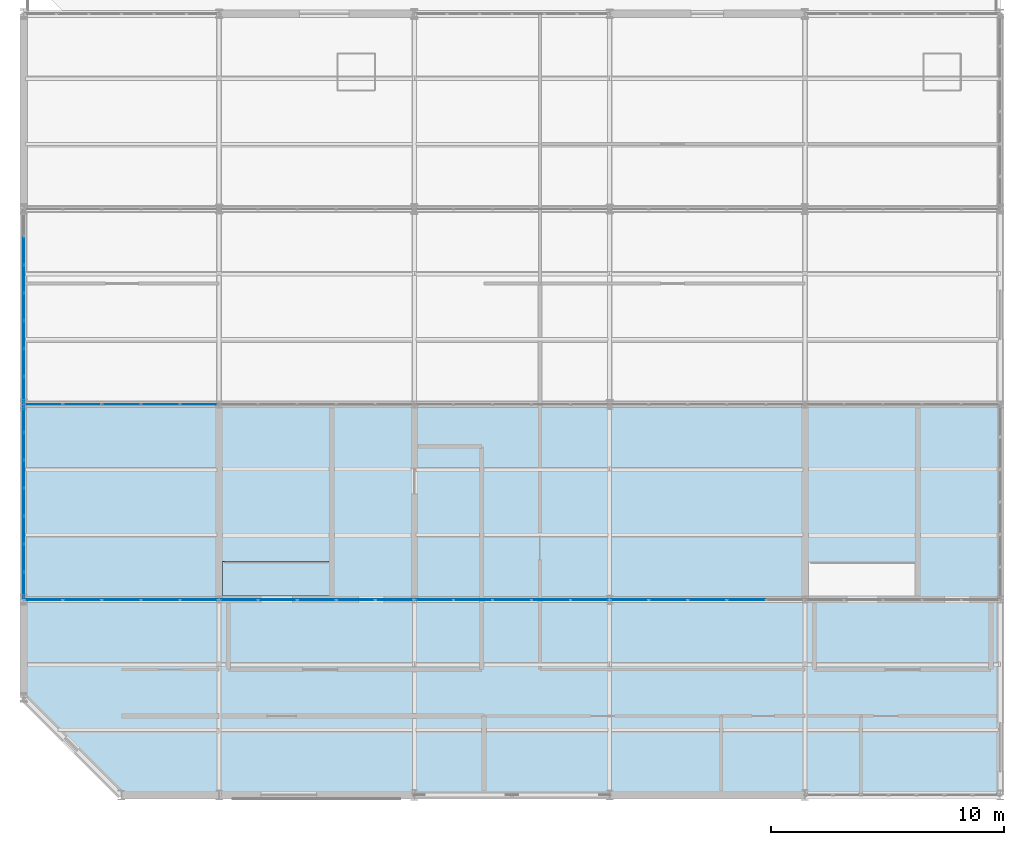
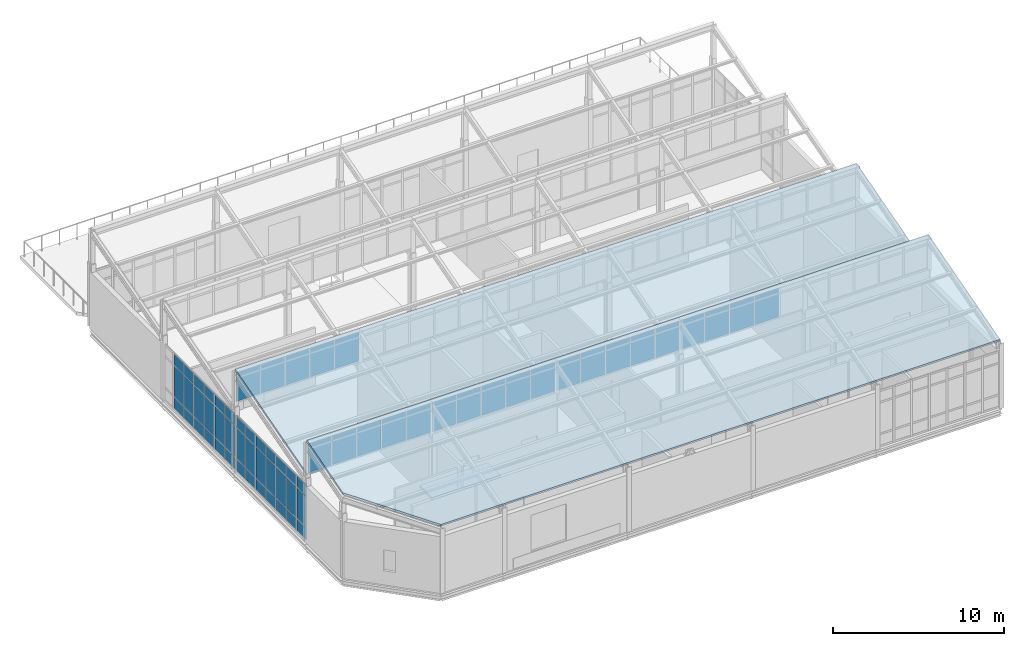
# One storey, part 46 of 53: 63 plates, 3 slabs, 7 elements without a shape of their own.
"""IFC4 building model written with IfcOpenShell, lengths in metres."""

from ifc_helpers import new_model, si_unit, direction, frame, origin, origin_2d, place, context, subcontext, project, spatial, polyline, rectangle, outline, extrude, material, layer, layer_set, type_object, element, aggregate, save


model = new_model("IFC4")

# Units and contexts
model_context = context("Model", 3, precision=1e-05, world=origin(), true_north=direction((0.0, 1.0)))
body_context = subcontext(model_context, "Body", "Model", "MODEL_VIEW")
ifc_project = project(units=[si_unit("LENGTHUNIT", "METRE"), si_unit("AREAUNIT", "SQUARE_METRE"), si_unit("VOLUMEUNIT", "CUBIC_METRE"), si_unit("PLANEANGLEUNIT", "RADIAN"), si_unit("MASSUNIT", "GRAM", prefix="KILO")], contexts=[model_context])

# Site, building, storey
site_placement = place(None, origin())
site = spatial("IfcSite", under=ifc_project, at=site_placement, CompositionType="ELEMENT")
building_placement = place(site_placement, origin())
building = spatial("IfcBuilding", under=site, at=building_placement, Name="Qalvenar Corner Mobility Hub", CompositionType="ELEMENT")
storey_placement = place(building_placement, frame((0.0, 0.0, 26.39990234375)))
storey = spatial("IfcBuildingStorey", under=building, at=storey_placement, Name="L06", CompositionType="ELEMENT", Elevation=26.39990234375)

# Curtain wall, plates
ifc_material_1 = material(Name="Anodised Aluminium and Low-E Glazing", Category="aluminium")
ifc_layer_1 = layer(ifc_material_1, 0.14990234375)
ifc_layer_set_1 = layer_set([ifc_layer_1], Name="Anodised Aluminium and Low-E Glazing")
curtain_wall_type_1 = type_object("IfcCurtainWallType", Name="CW-CIV-84X40", PredefinedType="NOTDEFINED", material=ifc_layer_set_1)
curtain_wall_1_placement = place(storey_placement, origin())
curtain_wall_1 = element("IfcCurtainWall", 1, at=curtain_wall_1_placement, inside=storey, type_object=curtain_wall_type_1, Name="Glazed Curtain Wall CW-V3-L06-W1", PredefinedType="NOTDEFINED")
ifc_material_2 = material(Name="Solar-Control Low-E Double Glazing", Category="glass")
ifc_layer_2 = layer(ifc_material_2, 0.028076171875)
ifc_layer_set_2 = layer_set([ifc_layer_2], Name="Solar-Control Low-E Double Glazing")
plate_type_1 = type_object("IfcPlateType", Name="PLT-CWP-GLZ1", PredefinedType="CURTAIN_PANEL", material=ifc_layer_set_2)
plate_1_placement = place(storey_placement, frame((0.0, 16.18505859375, 0.05517578125), z_axis=(0.0, 0.0, 1.0), x_axis=(0.0, -1.0, 0.0)))
plate_1 = element("IfcPlate", 2, at=plate_1_placement, type_object=plate_type_1, Name="CW-05 panel 1.1", PredefinedType="CURTAIN_PANEL", context=body_context, shape_type="SweptSolid", body=[
    extrude(rectangle(XDim=1.110107421875, YDim=0.028076171875, at=origin_2d()), origin(), (0.0, 0.0, 1.0), 0.8173828125),
])
plate_2_placement = place(storey_placement, frame((0.0, 16.18505859375, 0.927490234375), z_axis=(0.0, 0.0, 1.0), x_axis=(0.0, -1.0, 0.0)))
plate_2 = element("IfcPlate", 3, at=plate_2_placement, type_object=plate_type_1, Name="CW-05 panel 1.2", PredefinedType="CURTAIN_PANEL", context=body_context, shape_type="SweptSolid", body=[
    extrude(rectangle(XDim=1.110107421875, YDim=0.028076171875, at=origin_2d()), origin(), (0.0, 0.0, 1.0), 2.205078125),
])
plate_3_placement = place(storey_placement, frame((0.0, 16.18505859375, 3.1875), z_axis=(0.0, 0.0, 1.0), x_axis=(0.0, -1.0, 0.0)))
plate_3 = element("IfcPlate", 4, at=plate_3_placement, type_object=plate_type_1, Name="CW-05 panel 1.3", PredefinedType="CURTAIN_PANEL", context=body_context, shape_type="SweptSolid", body=[
    extrude(rectangle(XDim=1.110107421875, YDim=0.028076171875, at=origin_2d()), origin(), (0.0, 0.0, 1.0), 0.767578125),
])
plate_4_placement = place(storey_placement, frame((0.0, 15.0, 0.05517578125), z_axis=(0.0, 0.0, 1.0), x_axis=(0.0, -1.0, 0.0)))
plate_4 = element("IfcPlate", 5, at=plate_4_placement, type_object=plate_type_1, Name="CW-05 panel 2.1", PredefinedType="CURTAIN_PANEL", context=body_context, shape_type="SweptSolid", body=[
    extrude(rectangle(XDim=1.139892578125, YDim=0.028076171875, at=origin_2d()), origin(), (0.0, 0.0, 1.0), 0.8173828125),
])
plate_5_placement = place(storey_placement, frame((0.0, 15.0, 0.927490234375), z_axis=(0.0, 0.0, 1.0), x_axis=(0.0, -1.0, 0.0)))
plate_5 = element("IfcPlate", 6, at=plate_5_placement, type_object=plate_type_1, Name="CW-05 panel 2.2", PredefinedType="CURTAIN_PANEL", context=body_context, shape_type="SweptSolid", body=[
    extrude(rectangle(XDim=1.139892578125, YDim=0.028076171875, at=origin_2d()), origin(), (0.0, 0.0, 1.0), 2.205078125),
])
plate_6_placement = place(storey_placement, frame((0.0, 15.0, 3.1875), z_axis=(0.0, 0.0, 1.0), x_axis=(0.0, -1.0, 0.0)))
plate_6 = element("IfcPlate", 7, at=plate_6_placement, type_object=plate_type_1, Name="CW-05 panel 2.3", PredefinedType="CURTAIN_PANEL", context=body_context, shape_type="SweptSolid", body=[
    extrude(rectangle(XDim=1.139892578125, YDim=0.028076171875, at=origin_2d()), origin(), (0.0, 0.0, 1.0), 0.767578125),
])
plate_7_placement = place(storey_placement, frame((0.0, 13.800048828125, 0.05517578125), z_axis=(0.0, 0.0, 1.0), x_axis=(0.0, -1.0, 0.0)))
plate_7 = element("IfcPlate", 8, at=plate_7_placement, type_object=plate_type_1, Name="CW-05 panel 3.1", PredefinedType="CURTAIN_PANEL", context=body_context, shape_type="SweptSolid", body=[
    extrude(rectangle(XDim=1.139892578125, YDim=0.028076171875, at=origin_2d()), origin(), (0.0, 0.0, 1.0), 0.8173828125),
])
plate_8_placement = place(storey_placement, frame((0.0, 13.800048828125, 0.927490234375), z_axis=(0.0, 0.0, 1.0), x_axis=(0.0, -1.0, 0.0)))
plate_8 = element("IfcPlate", 9, at=plate_8_placement, type_object=plate_type_1, Name="CW-05 panel 3.2", PredefinedType="CURTAIN_PANEL", context=body_context, shape_type="SweptSolid", body=[
    extrude(rectangle(XDim=1.139892578125, YDim=0.028076171875, at=origin_2d()), origin(), (0.0, 0.0, 1.0), 2.205078125),
])
plate_9_placement = place(storey_placement, frame((0.0, 13.800048828125, 3.1875), z_axis=(0.0, 0.0, 1.0), x_axis=(0.0, -1.0, 0.0)))
plate_9 = element("IfcPlate", 10, at=plate_9_placement, type_object=plate_type_1, Name="CW-05 panel 3.3", PredefinedType="CURTAIN_PANEL", context=body_context, shape_type="SweptSolid", body=[
    extrude(rectangle(XDim=1.139892578125, YDim=0.028076171875, at=origin_2d()), origin(), (0.0, 0.0, 1.0), 0.767578125),
])
plate_10_placement = place(storey_placement, frame((0.0, 12.60009765625, 0.05517578125), z_axis=(0.0, 0.0, 1.0), x_axis=(0.0, -1.0, 0.0)))
plate_10 = element("IfcPlate", 11, at=plate_10_placement, type_object=plate_type_1, Name="CW-05 panel 4.1", PredefinedType="CURTAIN_PANEL", context=body_context, shape_type="SweptSolid", body=[
    extrude(rectangle(XDim=1.139892578125, YDim=0.028076171875, at=origin_2d()), origin(), (0.0, 0.0, 1.0), 0.8173828125),
])
plate_11_placement = place(storey_placement, frame((0.0, 12.60009765625, 0.927490234375), z_axis=(0.0, 0.0, 1.0), x_axis=(0.0, -1.0, 0.0)))
plate_11 = element("IfcPlate", 12, at=plate_11_placement, type_object=plate_type_1, Name="CW-05 panel 4.2", PredefinedType="CURTAIN_PANEL", context=body_context, shape_type="SweptSolid", body=[
    extrude(rectangle(XDim=1.139892578125, YDim=0.028076171875, at=origin_2d()), origin(), (0.0, 0.0, 1.0), 2.205078125),
])
plate_12_placement = place(storey_placement, frame((0.0, 12.60009765625, 3.1875), z_axis=(0.0, 0.0, 1.0), x_axis=(0.0, -1.0, 0.0)))
plate_12 = element("IfcPlate", 13, at=plate_12_placement, type_object=plate_type_1, Name="CW-05 panel 4.3", PredefinedType="CURTAIN_PANEL", context=body_context, shape_type="SweptSolid", body=[
    extrude(rectangle(XDim=1.139892578125, YDim=0.028076171875, at=origin_2d()), origin(), (0.0, 0.0, 1.0), 0.767578125),
])
plate_13_placement = place(storey_placement, frame((0.0, 11.39990234375, 0.05517578125), z_axis=(0.0, 0.0, 1.0), x_axis=(0.0, -1.0, 0.0)))
plate_13 = element("IfcPlate", 14, at=plate_13_placement, type_object=plate_type_1, Name="CW-05 panel 5.1", PredefinedType="CURTAIN_PANEL", context=body_context, shape_type="SweptSolid", body=[
    extrude(rectangle(XDim=1.139892578125, YDim=0.028076171875, at=origin_2d()), origin(), (0.0, 0.0, 1.0), 0.8173828125),
])
plate_14_placement = place(storey_placement, frame((0.0, 11.39990234375, 0.927490234375), z_axis=(0.0, 0.0, 1.0), x_axis=(0.0, -1.0, 0.0)))
plate_14 = element("IfcPlate", 15, at=plate_14_placement, type_object=plate_type_1, Name="CW-05 panel 5.2", PredefinedType="CURTAIN_PANEL", context=body_context, shape_type="SweptSolid", body=[
    extrude(rectangle(XDim=1.139892578125, YDim=0.028076171875, at=origin_2d()), origin(), (0.0, 0.0, 1.0), 2.205078125),
])
plate_15_placement = place(storey_placement, frame((0.0, 11.39990234375, 3.1875), z_axis=(0.0, 0.0, 1.0), x_axis=(0.0, -1.0, 0.0)))
plate_15 = element("IfcPlate", 16, at=plate_15_placement, type_object=plate_type_1, Name="CW-05 panel 5.3", PredefinedType="CURTAIN_PANEL", context=body_context, shape_type="SweptSolid", body=[
    extrude(rectangle(XDim=1.139892578125, YDim=0.028076171875, at=origin_2d()), origin(), (0.0, 0.0, 1.0), 0.767578125),
])
plate_16_placement = place(storey_placement, frame((0.0, 10.199951171875, 0.05517578125), z_axis=(0.0, 0.0, 1.0), x_axis=(0.0, -1.0, 0.0)))
plate_16 = element("IfcPlate", 17, at=plate_16_placement, type_object=plate_type_1, Name="CW-05 panel 6.1", PredefinedType="CURTAIN_PANEL", context=body_context, shape_type="SweptSolid", body=[
    extrude(rectangle(XDim=1.139892578125, YDim=0.028076171875, at=origin_2d()), origin(), (0.0, 0.0, 1.0), 0.8173828125),
])
plate_17_placement = place(storey_placement, frame((0.0, 10.199951171875, 0.927490234375), z_axis=(0.0, 0.0, 1.0), x_axis=(0.0, -1.0, 0.0)))
plate_17 = element("IfcPlate", 18, at=plate_17_placement, type_object=plate_type_1, Name="CW-05 panel 6.2", PredefinedType="CURTAIN_PANEL", context=body_context, shape_type="SweptSolid", body=[
    extrude(rectangle(XDim=1.139892578125, YDim=0.028076171875, at=origin_2d()), origin(), (0.0, 0.0, 1.0), 2.205078125),
])
plate_18_placement = place(storey_placement, frame((0.0, 10.199951171875, 3.1875), z_axis=(0.0, 0.0, 1.0), x_axis=(0.0, -1.0, 0.0)))
plate_18 = element("IfcPlate", 19, at=plate_18_placement, type_object=plate_type_1, Name="CW-05 panel 6.3", PredefinedType="CURTAIN_PANEL", context=body_context, shape_type="SweptSolid", body=[
    extrude(rectangle(XDim=1.139892578125, YDim=0.028076171875, at=origin_2d()), origin(), (0.0, 0.0, 1.0), 0.767578125),
])
plate_19_placement = place(storey_placement, frame((0.0, 9.014892578125, 0.05517578125), z_axis=(0.0, 0.0, 1.0), x_axis=(0.0, -1.0, 0.0)))
plate_19 = element("IfcPlate", 20, at=plate_19_placement, type_object=plate_type_1, Name="CW-05 panel 7.1", PredefinedType="CURTAIN_PANEL", context=body_context, shape_type="SweptSolid", body=[
    extrude(rectangle(XDim=1.110107421875, YDim=0.028076171875, at=origin_2d()), origin(), (0.0, 0.0, 1.0), 0.8173828125),
])
plate_20_placement = place(storey_placement, frame((0.0, 9.014892578125, 0.927490234375), z_axis=(0.0, 0.0, 1.0), x_axis=(0.0, -1.0, 0.0)))
plate_20 = element("IfcPlate", 21, at=plate_20_placement, type_object=plate_type_1, Name="CW-05 panel 7.2", PredefinedType="CURTAIN_PANEL", context=body_context, shape_type="SweptSolid", body=[
    extrude(rectangle(XDim=1.110107421875, YDim=0.028076171875, at=origin_2d()), origin(), (0.0, 0.0, 1.0), 2.205078125),
])
plate_21_placement = place(storey_placement, frame((0.0, 9.014892578125, 3.1875), z_axis=(0.0, 0.0, 1.0), x_axis=(0.0, -1.0, 0.0)))
plate_21 = element("IfcPlate", 22, at=plate_21_placement, type_object=plate_type_1, Name="CW-05 panel 7.3", PredefinedType="CURTAIN_PANEL", context=body_context, shape_type="SweptSolid", body=[
    extrude(rectangle(XDim=1.110107421875, YDim=0.028076171875, at=origin_2d()), origin(), (0.0, 0.0, 1.0), 0.767578125),
])
aggregate(curtain_wall_1, [plate_1, plate_2, plate_3, plate_4, plate_5, plate_6, plate_7, plate_8, plate_9, plate_10, plate_11, plate_12, plate_13, plate_14, plate_15, plate_16, plate_17, plate_18, plate_19, plate_20, plate_21])

curtain_wall_2_placement = place(storey_placement, origin())
curtain_wall_2 = element("IfcCurtainWall", 23, at=curtain_wall_2_placement, inside=storey, type_object=curtain_wall_type_1, Name="Glazed Curtain Wall CW-V3-L06-W2", PredefinedType="NOTDEFINED")
plate_22_placement = place(storey_placement, frame((0.0, 23.39990234375, 0.05517578125), z_axis=(0.0, 0.0, 1.0), x_axis=(0.0, -1.0, 0.0)))
plate_22 = element("IfcPlate", 24, at=plate_22_placement, type_object=plate_type_1, Name="CW-05 panel 2.1", PredefinedType="CURTAIN_PANEL", context=body_context, shape_type="SweptSolid", body=[
    extrude(rectangle(XDim=1.139892578125, YDim=0.028076171875, at=origin_2d()), origin(), (0.0, 0.0, 1.0), 0.8173828125),
])
plate_23_placement = place(storey_placement, frame((0.0, 23.39990234375, 0.927490234375), z_axis=(0.0, 0.0, 1.0), x_axis=(0.0, -1.0, 0.0)))
plate_23 = element("IfcPlate", 25, at=plate_23_placement, type_object=plate_type_1, Name="CW-05 panel 2.2", PredefinedType="CURTAIN_PANEL", context=body_context, shape_type="SweptSolid", body=[
    extrude(rectangle(XDim=1.139892578125, YDim=0.028076171875, at=origin_2d()), origin(), (0.0, 0.0, 1.0), 2.205078125),
])
plate_24_placement = place(storey_placement, frame((0.0, 23.39990234375, 3.1875), z_axis=(0.0, 0.0, 1.0), x_axis=(0.0, -1.0, 0.0)))
plate_24 = element("IfcPlate", 26, at=plate_24_placement, type_object=plate_type_1, Name="CW-05 panel 2.3", PredefinedType="CURTAIN_PANEL", context=body_context, shape_type="SweptSolid", body=[
    extrude(rectangle(XDim=1.139892578125, YDim=0.028076171875, at=origin_2d()), origin(), (0.0, 0.0, 1.0), 0.767578125),
])
plate_25_placement = place(storey_placement, frame((0.0, 22.199951171875, 0.05517578125), z_axis=(0.0, 0.0, 1.0), x_axis=(0.0, -1.0, 0.0)))
plate_25 = element("IfcPlate", 27, at=plate_25_placement, type_object=plate_type_1, Name="CW-05 panel 3.1", PredefinedType="CURTAIN_PANEL", context=body_context, shape_type="SweptSolid", body=[
    extrude(rectangle(XDim=1.139892578125, YDim=0.028076171875, at=origin_2d()), origin(), (0.0, 0.0, 1.0), 0.8173828125),
])
plate_26_placement = place(storey_placement, frame((0.0, 22.199951171875, 0.927490234375), z_axis=(0.0, 0.0, 1.0), x_axis=(0.0, -1.0, 0.0)))
plate_26 = element("IfcPlate", 28, at=plate_26_placement, type_object=plate_type_1, Name="CW-05 panel 3.2", PredefinedType="CURTAIN_PANEL", context=body_context, shape_type="SweptSolid", body=[
    extrude(rectangle(XDim=1.139892578125, YDim=0.028076171875, at=origin_2d()), origin(), (0.0, 0.0, 1.0), 2.205078125),
])
plate_27_placement = place(storey_placement, frame((0.0, 22.199951171875, 3.1875), z_axis=(0.0, 0.0, 1.0), x_axis=(0.0, -1.0, 0.0)))
plate_27 = element("IfcPlate", 29, at=plate_27_placement, type_object=plate_type_1, Name="CW-05 panel 3.3", PredefinedType="CURTAIN_PANEL", context=body_context, shape_type="SweptSolid", body=[
    extrude(rectangle(XDim=1.139892578125, YDim=0.028076171875, at=origin_2d()), origin(), (0.0, 0.0, 1.0), 0.767578125),
])
plate_28_placement = place(storey_placement, frame((0.0, 21.0, 0.05517578125), z_axis=(0.0, 0.0, 1.0), x_axis=(0.0, -1.0, 0.0)))
plate_28 = element("IfcPlate", 30, at=plate_28_placement, type_object=plate_type_1, Name="CW-05 panel 4.1", PredefinedType="CURTAIN_PANEL", context=body_context, shape_type="SweptSolid", body=[
    extrude(rectangle(XDim=1.139892578125, YDim=0.028076171875, at=origin_2d()), origin(), (0.0, 0.0, 1.0), 0.8173828125),
])
plate_29_placement = place(storey_placement, frame((0.0, 21.0, 0.927490234375), z_axis=(0.0, 0.0, 1.0), x_axis=(0.0, -1.0, 0.0)))
plate_29 = element("IfcPlate", 31, at=plate_29_placement, type_object=plate_type_1, Name="CW-05 panel 4.2", PredefinedType="CURTAIN_PANEL", context=body_context, shape_type="SweptSolid", body=[
    extrude(rectangle(XDim=1.139892578125, YDim=0.028076171875, at=origin_2d()), origin(), (0.0, 0.0, 1.0), 2.205078125),
])
plate_30_placement = place(storey_placement, frame((0.0, 21.0, 3.1875), z_axis=(0.0, 0.0, 1.0), x_axis=(0.0, -1.0, 0.0)))
plate_30 = element("IfcPlate", 32, at=plate_30_placement, type_object=plate_type_1, Name="CW-05 panel 4.3", PredefinedType="CURTAIN_PANEL", context=body_context, shape_type="SweptSolid", body=[
    extrude(rectangle(XDim=1.139892578125, YDim=0.028076171875, at=origin_2d()), origin(), (0.0, 0.0, 1.0), 0.767578125),
])
plate_31_placement = place(storey_placement, frame((0.0, 19.800048828125, 0.05517578125), z_axis=(0.0, 0.0, 1.0), x_axis=(0.0, -1.0, 0.0)))
plate_31 = element("IfcPlate", 33, at=plate_31_placement, type_object=plate_type_1, Name="CW-05 panel 5.1", PredefinedType="CURTAIN_PANEL", context=body_context, shape_type="SweptSolid", body=[
    extrude(rectangle(XDim=1.139892578125, YDim=0.028076171875, at=origin_2d()), origin(), (0.0, 0.0, 1.0), 0.8173828125),
])
plate_32_placement = place(storey_placement, frame((0.0, 19.800048828125, 0.927490234375), z_axis=(0.0, 0.0, 1.0), x_axis=(0.0, -1.0, 0.0)))
plate_32 = element("IfcPlate", 34, at=plate_32_placement, type_object=plate_type_1, Name="CW-05 panel 5.2", PredefinedType="CURTAIN_PANEL", context=body_context, shape_type="SweptSolid", body=[
    extrude(rectangle(XDim=1.139892578125, YDim=0.028076171875, at=origin_2d()), origin(), (0.0, 0.0, 1.0), 2.205078125),
])
plate_33_placement = place(storey_placement, frame((0.0, 19.800048828125, 3.1875), z_axis=(0.0, 0.0, 1.0), x_axis=(0.0, -1.0, 0.0)))
plate_33 = element("IfcPlate", 35, at=plate_33_placement, type_object=plate_type_1, Name="CW-05 panel 5.3", PredefinedType="CURTAIN_PANEL", context=body_context, shape_type="SweptSolid", body=[
    extrude(rectangle(XDim=1.139892578125, YDim=0.028076171875, at=origin_2d()), origin(), (0.0, 0.0, 1.0), 0.767578125),
])
plate_34_placement = place(storey_placement, frame((0.0, 18.60009765625, 0.05517578125), z_axis=(0.0, 0.0, 1.0), x_axis=(0.0, -1.0, 0.0)))
plate_34 = element("IfcPlate", 36, at=plate_34_placement, type_object=plate_type_1, Name="CW-05 panel 6.1", PredefinedType="CURTAIN_PANEL", context=body_context, shape_type="SweptSolid", body=[
    extrude(rectangle(XDim=1.139892578125, YDim=0.028076171875, at=origin_2d()), origin(), (0.0, 0.0, 1.0), 0.8173828125),
])
plate_35_placement = place(storey_placement, frame((0.0, 18.60009765625, 0.927490234375), z_axis=(0.0, 0.0, 1.0), x_axis=(0.0, -1.0, 0.0)))
plate_35 = element("IfcPlate", 37, at=plate_35_placement, type_object=plate_type_1, Name="CW-05 panel 6.2", PredefinedType="CURTAIN_PANEL", context=body_context, shape_type="SweptSolid", body=[
    extrude(rectangle(XDim=1.139892578125, YDim=0.028076171875, at=origin_2d()), origin(), (0.0, 0.0, 1.0), 2.205078125),
])
plate_36_placement = place(storey_placement, frame((0.0, 18.60009765625, 3.1875), z_axis=(0.0, 0.0, 1.0), x_axis=(0.0, -1.0, 0.0)))
plate_36 = element("IfcPlate", 38, at=plate_36_placement, type_object=plate_type_1, Name="CW-05 panel 6.3", PredefinedType="CURTAIN_PANEL", context=body_context, shape_type="SweptSolid", body=[
    extrude(rectangle(XDim=1.139892578125, YDim=0.028076171875, at=origin_2d()), origin(), (0.0, 0.0, 1.0), 0.767578125),
])
plate_37_placement = place(storey_placement, frame((0.0, 17.4150390625, 0.05517578125), z_axis=(0.0, 0.0, 1.0), x_axis=(0.0, -1.0, 0.0)))
plate_37 = element("IfcPlate", 39, at=plate_37_placement, type_object=plate_type_1, Name="CW-05 panel 7.1", PredefinedType="CURTAIN_PANEL", context=body_context, shape_type="SweptSolid", body=[
    extrude(rectangle(XDim=1.110107421875, YDim=0.028076171875, at=origin_2d()), origin(), (0.0, 0.0, 1.0), 0.8173828125),
])
plate_38_placement = place(storey_placement, frame((0.0, 17.4150390625, 0.927490234375), z_axis=(0.0, 0.0, 1.0), x_axis=(0.0, -1.0, 0.0)))
plate_38 = element("IfcPlate", 40, at=plate_38_placement, type_object=plate_type_1, Name="CW-05 panel 7.2", PredefinedType="CURTAIN_PANEL", context=body_context, shape_type="SweptSolid", body=[
    extrude(rectangle(XDim=1.110107421875, YDim=0.028076171875, at=origin_2d()), origin(), (0.0, 0.0, 1.0), 2.205078125),
])
plate_39_placement = place(storey_placement, frame((0.0, 17.4150390625, 3.1875), z_axis=(0.0, 0.0, 1.0), x_axis=(0.0, -1.0, 0.0)))
plate_39 = element("IfcPlate", 41, at=plate_39_placement, type_object=plate_type_1, Name="CW-05 panel 7.3", PredefinedType="CURTAIN_PANEL", context=body_context, shape_type="SweptSolid", body=[
    extrude(rectangle(XDim=1.110107421875, YDim=0.028076171875, at=origin_2d()), origin(), (0.0, 0.0, 1.0), 0.767578125),
])
aggregate(curtain_wall_2, [plate_22, plate_23, plate_24, plate_25, plate_26, plate_27, plate_28, plate_29, plate_30, plate_31, plate_32, plate_33, plate_34, plate_35, plate_36, plate_37, plate_38, plate_39])

ifc_layer_3 = layer(ifc_material_1, 0.1201171875)
ifc_layer_set_3 = layer_set([ifc_layer_3], Name="Anodised Aluminium and Low-E Glazing")
curtain_wall_type_2 = type_object("IfcCurtainWallType", Name="CW-CLR-84X24", PredefinedType="NOTDEFINED", material=ifc_layer_set_3)
curtain_wall_3_placement = place(storey_placement, origin())
curtain_wall_3 = element("IfcCurtainWall", 42, at=curtain_wall_3_placement, inside=storey, type_object=curtain_wall_type_2, Name="Glazed Curtain Wall CW-V3-SAW-1-0", PredefinedType="NOTDEFINED")
plate_40_placement = place(storey_placement, frame((7.544921875, 8.39990234375, 4.85498046875), z_axis=(0.0, 0.0, 1.0), x_axis=(-1.0, 0.0, 0.0)))
plate_40 = element("IfcPlate", 43, at=plate_40_placement, type_object=plate_type_1, Name="CW-12 panel 1.1", PredefinedType="CURTAIN_PANEL", context=body_context, shape_type="SweptSolid", body=[
    extrude(rectangle(XDim=1.590087890625, YDim=0.028076171875, at=origin_2d()), origin(), (0.0, 0.0, 1.0), 2.090087890625),
])
plate_41_placement = place(storey_placement, frame((5.8798828125, 8.39990234375, 4.85498046875), z_axis=(0.0, 0.0, 1.0), x_axis=(-1.0, 0.0, 0.0)))
plate_41 = element("IfcPlate", 44, at=plate_41_placement, type_object=plate_type_1, Name="CW-12 panel 2.1", PredefinedType="CURTAIN_PANEL", context=body_context, shape_type="SweptSolid", body=[
    extrude(rectangle(XDim=1.6201171875, YDim=0.028076171875, at=origin_2d()), origin(), (0.0, 0.0, 1.0), 2.090087890625),
])
plate_42_placement = place(storey_placement, frame((4.199951171875, 8.39990234375, 4.85498046875), z_axis=(0.0, 0.0, 1.0), x_axis=(-1.0, 0.0, 0.0)))
plate_42 = element("IfcPlate", 45, at=plate_42_placement, type_object=plate_type_1, Name="CW-12 panel 3.1", PredefinedType="CURTAIN_PANEL", context=body_context, shape_type="SweptSolid", body=[
    extrude(rectangle(XDim=1.6201171875, YDim=0.028076171875, at=origin_2d()), origin(), (0.0, 0.0, 1.0), 2.090087890625),
])
plate_43_placement = place(storey_placement, frame((2.52001953125, 8.39990234375, 4.85498046875), z_axis=(0.0, 0.0, 1.0), x_axis=(-1.0, 0.0, 0.0)))
plate_43 = element("IfcPlate", 46, at=plate_43_placement, type_object=plate_type_1, Name="CW-12 panel 4.1", PredefinedType="CURTAIN_PANEL", context=body_context, shape_type="SweptSolid", body=[
    extrude(rectangle(XDim=1.6201171875, YDim=0.028076171875, at=origin_2d()), origin(), (0.0, 0.0, 1.0), 2.090087890625),
])
plate_44_placement = place(storey_placement, frame((0.85498046875, 8.39990234375, 4.85498046875), z_axis=(0.0, 0.0, 1.0), x_axis=(-1.0, 0.0, 0.0)))
plate_44 = element("IfcPlate", 47, at=plate_44_placement, type_object=plate_type_1, Name="CW-12 panel 5.1", PredefinedType="CURTAIN_PANEL", context=body_context, shape_type="SweptSolid", body=[
    extrude(rectangle(XDim=1.590087890625, YDim=0.028076171875, at=origin_2d()), origin(), (0.0, 0.0, 1.0), 2.090087890625),
])
aggregate(curtain_wall_3, [plate_40, plate_41, plate_42, plate_43, plate_44])

curtain_wall_4_placement = place(storey_placement, origin())
curtain_wall_4 = element("IfcCurtainWall", 48, at=curtain_wall_4_placement, inside=storey, type_object=curtain_wall_type_2, Name="Glazed Curtain Wall CW-V3-SAW-1-1", PredefinedType="NOTDEFINED")
plate_45_placement = place(storey_placement, frame((15.945068359375, 8.39990234375, 4.85498046875), z_axis=(0.0, 0.0, 1.0), x_axis=(-1.0, 0.0, 0.0)))
plate_45 = element("IfcPlate", 49, at=plate_45_placement, type_object=plate_type_1, Name="CW-12 panel 1.1", PredefinedType="CURTAIN_PANEL", context=body_context, shape_type="SweptSolid", body=[
    extrude(rectangle(XDim=1.590087890625, YDim=0.028076171875, at=origin_2d()), origin(), (0.0, 0.0, 1.0), 2.090087890625),
])
plate_46_placement = place(storey_placement, frame((14.280029296875, 8.39990234375, 4.85498046875), z_axis=(0.0, 0.0, 1.0), x_axis=(-1.0, 0.0, 0.0)))
plate_46 = element("IfcPlate", 50, at=plate_46_placement, type_object=plate_type_1, Name="CW-12 panel 2.1", PredefinedType="CURTAIN_PANEL", context=body_context, shape_type="SweptSolid", body=[
    extrude(rectangle(XDim=1.6201171875, YDim=0.028076171875, at=origin_2d()), origin(), (0.0, 0.0, 1.0), 2.090087890625),
])
plate_47_placement = place(storey_placement, frame((12.60009765625, 8.39990234375, 4.85498046875), z_axis=(0.0, 0.0, 1.0), x_axis=(-1.0, 0.0, 0.0)))
plate_47 = element("IfcPlate", 51, at=plate_47_placement, type_object=plate_type_1, Name="CW-12 panel 3.1", PredefinedType="CURTAIN_PANEL", context=body_context, shape_type="SweptSolid", body=[
    extrude(rectangle(XDim=1.6201171875, YDim=0.028076171875, at=origin_2d()), origin(), (0.0, 0.0, 1.0), 2.090087890625),
])
plate_48_placement = place(storey_placement, frame((10.919921875, 8.39990234375, 4.85498046875), z_axis=(0.0, 0.0, 1.0), x_axis=(-1.0, 0.0, 0.0)))
plate_48 = element("IfcPlate", 52, at=plate_48_placement, type_object=plate_type_1, Name="CW-12 panel 4.1", PredefinedType="CURTAIN_PANEL", context=body_context, shape_type="SweptSolid", body=[
    extrude(rectangle(XDim=1.6201171875, YDim=0.028076171875, at=origin_2d()), origin(), (0.0, 0.0, 1.0), 2.090087890625),
])
plate_49_placement = place(storey_placement, frame((9.2548828125, 8.39990234375, 4.85498046875), z_axis=(0.0, 0.0, 1.0), x_axis=(-1.0, 0.0, 0.0)))
plate_49 = element("IfcPlate", 53, at=plate_49_placement, type_object=plate_type_1, Name="CW-12 panel 5.1", PredefinedType="CURTAIN_PANEL", context=body_context, shape_type="SweptSolid", body=[
    extrude(rectangle(XDim=1.590087890625, YDim=0.028076171875, at=origin_2d()), origin(), (0.0, 0.0, 1.0), 2.090087890625),
])
aggregate(curtain_wall_4, [plate_45, plate_46, plate_47, plate_48, plate_49])

curtain_wall_5_placement = place(storey_placement, origin())
curtain_wall_5 = element("IfcCurtainWall", 54, at=curtain_wall_5_placement, inside=storey, type_object=curtain_wall_type_2, Name="Glazed Curtain Wall CW-V3-SAW-1-3", PredefinedType="NOTDEFINED")
plate_50_placement = place(storey_placement, frame((31.080078125, 8.39990234375, 4.85498046875), z_axis=(0.0, 0.0, 1.0), x_axis=(-1.0, 0.0, 0.0)))
plate_50 = element("IfcPlate", 55, at=plate_50_placement, type_object=plate_type_1, Name="CW-12 panel 2.1", PredefinedType="CURTAIN_PANEL", context=body_context, shape_type="SweptSolid", body=[
    extrude(rectangle(XDim=1.6201171875, YDim=0.028076171875, at=origin_2d()), origin(), (0.0, 0.0, 1.0), 2.090087890625),
])
plate_51_placement = place(storey_placement, frame((29.39990234375, 8.39990234375, 4.85498046875), z_axis=(0.0, 0.0, 1.0), x_axis=(-1.0, 0.0, 0.0)))
plate_51 = element("IfcPlate", 56, at=plate_51_placement, type_object=plate_type_1, Name="CW-12 panel 3.1", PredefinedType="CURTAIN_PANEL", context=body_context, shape_type="SweptSolid", body=[
    extrude(rectangle(XDim=1.6201171875, YDim=0.028076171875, at=origin_2d()), origin(), (0.0, 0.0, 1.0), 2.090087890625),
])
plate_52_placement = place(storey_placement, frame((27.719970703125, 8.39990234375, 4.85498046875), z_axis=(0.0, 0.0, 1.0), x_axis=(-1.0, 0.0, 0.0)))
plate_52 = element("IfcPlate", 57, at=plate_52_placement, type_object=plate_type_1, Name="CW-12 panel 4.1", PredefinedType="CURTAIN_PANEL", context=body_context, shape_type="SweptSolid", body=[
    extrude(rectangle(XDim=1.6201171875, YDim=0.028076171875, at=origin_2d()), origin(), (0.0, 0.0, 1.0), 2.090087890625),
])
plate_53_placement = place(storey_placement, frame((26.054931640625, 8.39990234375, 4.85498046875), z_axis=(0.0, 0.0, 1.0), x_axis=(-1.0, 0.0, 0.0)))
plate_53 = element("IfcPlate", 58, at=plate_53_placement, type_object=plate_type_1, Name="CW-12 panel 5.1", PredefinedType="CURTAIN_PANEL", context=body_context, shape_type="SweptSolid", body=[
    extrude(rectangle(XDim=1.590087890625, YDim=0.028076171875, at=origin_2d()), origin(), (0.0, 0.0, 1.0), 2.090087890625),
])
aggregate(curtain_wall_5, [plate_50, plate_51, plate_52, plate_53])

curtain_wall_6_placement = place(storey_placement, origin())
curtain_wall_6 = element("IfcCurtainWall", 59, at=curtain_wall_6_placement, inside=storey, type_object=curtain_wall_type_2, Name="Glazed Curtain Wall CW-V3-SAW-2-0", PredefinedType="NOTDEFINED")
plate_54_placement = place(storey_placement, frame((7.544921875, 16.800048828125, 4.85498046875), z_axis=(0.0, 0.0, 1.0), x_axis=(-1.0, 0.0, 0.0)))
plate_54 = element("IfcPlate", 60, at=plate_54_placement, type_object=plate_type_1, Name="CW-12 panel 1.1", PredefinedType="CURTAIN_PANEL", context=body_context, shape_type="SweptSolid", body=[
    extrude(rectangle(XDim=1.590087890625, YDim=0.028076171875, at=origin_2d()), origin(), (0.0, 0.0, 1.0), 2.090087890625),
])
plate_55_placement = place(storey_placement, frame((5.8798828125, 16.800048828125, 4.85498046875), z_axis=(0.0, 0.0, 1.0), x_axis=(-1.0, 0.0, 0.0)))
plate_55 = element("IfcPlate", 61, at=plate_55_placement, type_object=plate_type_1, Name="CW-12 panel 2.1", PredefinedType="CURTAIN_PANEL", context=body_context, shape_type="SweptSolid", body=[
    extrude(rectangle(XDim=1.6201171875, YDim=0.028076171875, at=origin_2d()), origin(), (0.0, 0.0, 1.0), 2.090087890625),
])
plate_56_placement = place(storey_placement, frame((4.199951171875, 16.800048828125, 4.85498046875), z_axis=(0.0, 0.0, 1.0), x_axis=(-1.0, 0.0, 0.0)))
plate_56 = element("IfcPlate", 62, at=plate_56_placement, type_object=plate_type_1, Name="CW-12 panel 3.1", PredefinedType="CURTAIN_PANEL", context=body_context, shape_type="SweptSolid", body=[
    extrude(rectangle(XDim=1.6201171875, YDim=0.028076171875, at=origin_2d()), origin(), (0.0, 0.0, 1.0), 2.090087890625),
])
plate_57_placement = place(storey_placement, frame((2.52001953125, 16.800048828125, 4.85498046875), z_axis=(0.0, 0.0, 1.0), x_axis=(-1.0, 0.0, 0.0)))
plate_57 = element("IfcPlate", 63, at=plate_57_placement, type_object=plate_type_1, Name="CW-12 panel 4.1", PredefinedType="CURTAIN_PANEL", context=body_context, shape_type="SweptSolid", body=[
    extrude(rectangle(XDim=1.6201171875, YDim=0.028076171875, at=origin_2d()), origin(), (0.0, 0.0, 1.0), 2.090087890625),
])
plate_58_placement = place(storey_placement, frame((0.85498046875, 16.800048828125, 4.85498046875), z_axis=(0.0, 0.0, 1.0), x_axis=(-1.0, 0.0, 0.0)))
plate_58 = element("IfcPlate", 64, at=plate_58_placement, type_object=plate_type_1, Name="CW-12 panel 5.1", PredefinedType="CURTAIN_PANEL", context=body_context, shape_type="SweptSolid", body=[
    extrude(rectangle(XDim=1.590087890625, YDim=0.028076171875, at=origin_2d()), origin(), (0.0, 0.0, 1.0), 2.090087890625),
])
aggregate(curtain_wall_6, [plate_54, plate_55, plate_56, plate_57, plate_58])

curtain_wall_7_placement = place(storey_placement, origin())
curtain_wall_7 = element("IfcCurtainWall", 65, at=curtain_wall_7_placement, inside=storey, type_object=curtain_wall_type_2, Name="Glazed Curtain Wall CW-V3-SAW-1-2", PredefinedType="NOTDEFINED")
ifc_material_3 = material(Name="Insulated Faience-Enamel Spandrel Panel", Category="aluminium")
ifc_layer_4 = layer(ifc_material_3, 0.044921875)
ifc_layer_set_4 = layer_set([ifc_layer_4], Name="Insulated Faience-Enamel Spandrel Panel")
plate_type_2 = type_object("IfcPlateType", Name="PLT-CWP-SPN1", PredefinedType="CURTAIN_PANEL", material=ifc_layer_set_4)
plate_59_placement = place(storey_placement, frame((24.344970703125, 8.39990234375, 4.85498046875), z_axis=(0.0, 0.0, 1.0), x_axis=(-1.0, 0.0, 0.0)))
plate_59 = element("IfcPlate", 66, at=plate_59_placement, type_object=plate_type_2, Name="CW-12 panel 1.1", PredefinedType="CURTAIN_PANEL", context=body_context, shape_type="SweptSolid", body=[
    extrude(rectangle(XDim=1.590087890625, YDim=0.02587890625, at=origin_2d()), origin(), (0.0, 0.0, 1.0), 2.090087890625),
])
plate_60_placement = place(storey_placement, frame((22.679931640625, 8.39990234375, 4.85498046875), z_axis=(0.0, 0.0, 1.0), x_axis=(-1.0, 0.0, 0.0)))
plate_60 = element("IfcPlate", 67, at=plate_60_placement, type_object=plate_type_2, Name="CW-12 panel 2.1", PredefinedType="CURTAIN_PANEL", context=body_context, shape_type="SweptSolid", body=[
    extrude(rectangle(XDim=1.6201171875, YDim=0.02587890625, at=origin_2d()), origin(), (0.0, 0.0, 1.0), 2.090087890625),
])
plate_61_placement = place(storey_placement, frame((21.0, 8.39990234375, 4.85498046875), z_axis=(0.0, 0.0, 1.0), x_axis=(-1.0, 0.0, 0.0)))
plate_61 = element("IfcPlate", 68, at=plate_61_placement, type_object=plate_type_2, Name="CW-12 panel 3.1", PredefinedType="CURTAIN_PANEL", context=body_context, shape_type="SweptSolid", body=[
    extrude(rectangle(XDim=1.6201171875, YDim=0.02587890625, at=origin_2d()), origin(), (0.0, 0.0, 1.0), 2.090087890625),
])
plate_62_placement = place(storey_placement, frame((19.320068359375, 8.39990234375, 4.85498046875), z_axis=(0.0, 0.0, 1.0), x_axis=(-1.0, 0.0, 0.0)))
plate_62 = element("IfcPlate", 69, at=plate_62_placement, type_object=plate_type_2, Name="CW-12 panel 4.1", PredefinedType="CURTAIN_PANEL", context=body_context, shape_type="SweptSolid", body=[
    extrude(rectangle(XDim=1.6201171875, YDim=0.02587890625, at=origin_2d()), origin(), (0.0, 0.0, 1.0), 2.090087890625),
])
plate_63_placement = place(storey_placement, frame((17.655029296875, 8.39990234375, 4.85498046875), z_axis=(0.0, 0.0, 1.0), x_axis=(-1.0, 0.0, 0.0)))
plate_63 = element("IfcPlate", 70, at=plate_63_placement, type_object=plate_type_2, Name="CW-12 panel 5.1", PredefinedType="CURTAIN_PANEL", context=body_context, shape_type="SweptSolid", body=[
    extrude(rectangle(XDim=1.590087890625, YDim=0.02587890625, at=origin_2d()), origin(), (0.0, 0.0, 1.0), 2.090087890625),
])
aggregate(curtain_wall_7, [plate_59, plate_60, plate_61, plate_62, plate_63])

# Slabs
ifc_material_4 = material(Name="Concrete C35/45", Category="concrete")
ifc_layer_5 = layer(ifc_material_4, 0.175048828125)
ifc_layer_set_5 = layer_set([ifc_layer_5], Name="Concrete C35/45")
slab_type_1 = type_object("IfcSlabType", Name="SLB-LND200", PredefinedType="LANDING", material=ifc_layer_set_5)
slab_1_placement = place(storey_placement, frame((0.0, 0.0, -0.1748046875)))
element("IfcSlab", 71, at=slab_1_placement, inside=storey, type_object=slab_type_1, Name="Core Stair Arrival Landing C1-L06", PredefinedType="LANDING", context=body_context, shape_type="SweptSolid", body=[
    extrude(outline(polyline([(8.550048828125, 8.550048828125), (13.169921875, 8.550048828125), (13.169921875, 10.050048828125), (8.550048828125, 10.050048828125), (8.550048828125, 8.550048828125)])), origin(), (0.0, 0.0, 1.0), 0.1748046875),
])
ifc_material_5 = material(Name="Concrete C35/45", Category="concrete")
ifc_layer_6 = layer(ifc_material_5, 0.169921875)
ifc_layer_set_6 = layer_set([ifc_layer_6], Name="Concrete C35/45")
slab_type_2 = type_object("IfcSlabType", Name="SLB-ROOF170", PredefinedType="ROOF", material=ifc_layer_set_6)
slab_2_placement = place(storey_placement, frame((4.199951171875, 0.0, 4.800048828125), z_axis=(-1.433124e-06, -0.274740245392, 0.961518485293), x_axis=(0.999999999999, -3.93737e-07, 1.377975e-06)))
element("IfcSlab", 72, at=slab_2_placement, inside=storey, type_object=slab_type_2, Name="Sports Pavilion Sawtooth Roof Slab V3-1", PredefinedType="ROOF", context=body_context, shape_type="SweptSolid", body=[
    extrude(outline(polyline([(0.0, 0.0), (37.80004882808618, 0.0), (37.80004882807756, 8.736078212273412), (-4.199951171879313, 8.736078212273412), (-4.19995117204321, 4.368005568509094), (0.0, 0.0)])), origin(), (0.0, 0.0, -1.0), 0.169921875),
])
slab_3_placement = place(storey_placement, frame((0.0, 8.39990234375, 4.800048828125), z_axis=(0.0, -0.274732200624, 0.961520783936), x_axis=(1.0, 0.0, 0.0)))
element("IfcSlab", 73, at=slab_3_placement, inside=storey, type_object=slab_type_2, Name="Sports Pavilion Sawtooth Roof Slab V3-2", PredefinedType="ROOF", context=body_context, shape_type="SweptSolid", body=[
    extrude(outline(polyline([(0.0, 0.0), (42.0, 0.0), (42.0, 8.73631295830314), (0.0, 8.73631295830314), (0.0, 0.0)])), origin(), (0.0, 0.0, -1.0), 0.169921875),
])

save(model, "model.ifc")
